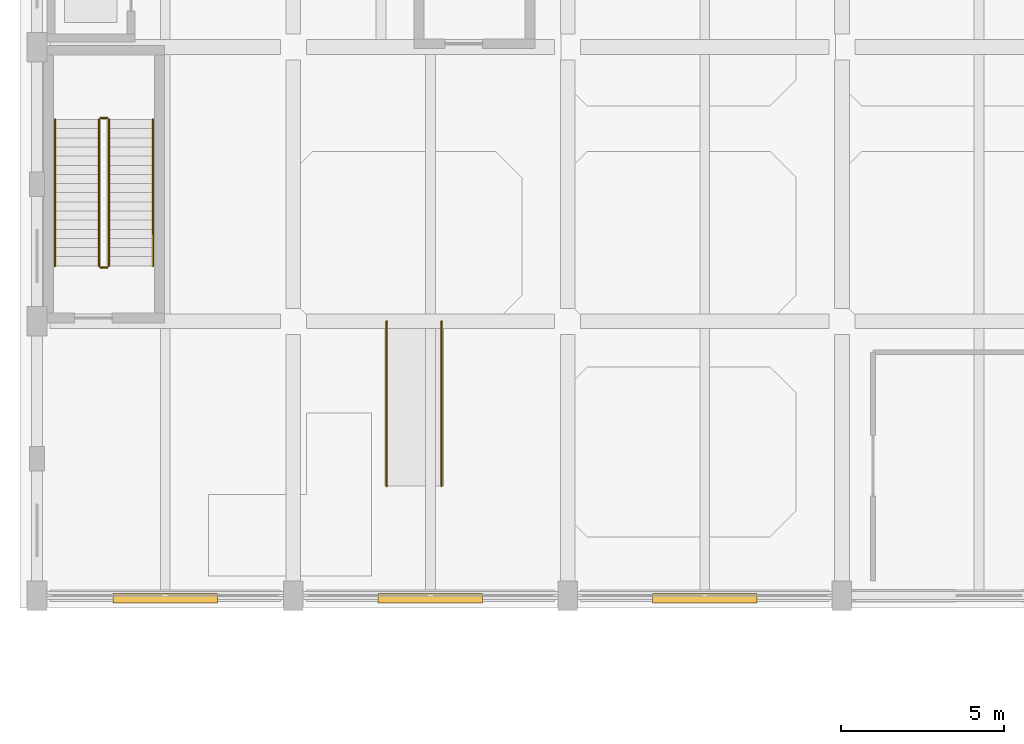
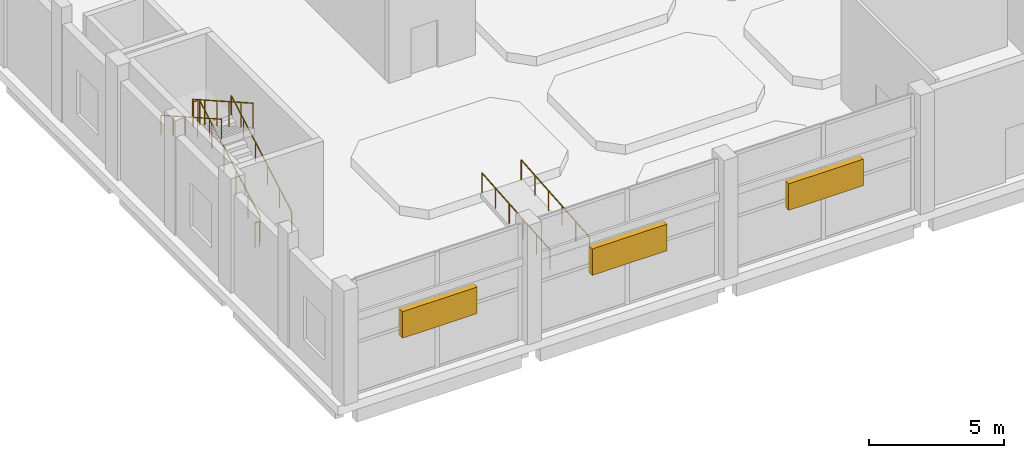
# One storey, part 27 of 34: 8 railings, 3 shading devices.
"""IFC4 building model written with IfcOpenShell, lengths in metres."""

from ifc_helpers import new_model, si_unit, direction, frame, origin, origin_2d, place, context, subcontext, project, spatial, rectangle, circle, extrude, material, type_object, element, save


model = new_model("IFC4")

# Units and contexts
model_context = context("Model", 3, precision=1e-05, world=origin(), true_north=direction((0.0, 1.0)))
body_context = subcontext(model_context, "Body", "Model", "MODEL_VIEW")
ifc_project = project(units=[si_unit("LENGTHUNIT", "METRE"), si_unit("AREAUNIT", "SQUARE_METRE"), si_unit("VOLUMEUNIT", "CUBIC_METRE"), si_unit("PLANEANGLEUNIT", "RADIAN"), si_unit("MASSUNIT", "GRAM", prefix="KILO")], contexts=[model_context])

# Site, building, storey
site_placement = place(None, origin())
site = spatial("IfcSite", under=ifc_project, at=site_placement, CompositionType="ELEMENT")
building_placement = place(site_placement, origin())
building = spatial("IfcBuilding", under=site, at=building_placement, Name="Brinegate Botanical Conservatory", CompositionType="ELEMENT")
storey_placement = place(building_placement, origin())
storey = spatial("IfcBuildingStorey", under=building, at=storey_placement, Name="L01", CompositionType="ELEMENT", Elevation=0.0)

# Railings
ifc_material_1 = material(Name="Structural steel Q355B / S355 painted tubular guardrail", Category="steel")
railing_type_1 = type_object("IfcRailingType", Name="Rail_ST-GRD", PredefinedType="GUARDRAIL", material=ifc_material_1)
railing_1_placement = place(storey_placement, frame((2.75, 88.5, 0.158935546875)))
element("IfcRailing", 1, at=railing_1_placement, inside=storey, type_object=railing_type_1, Name="L01 ST7 stair guard 1", PredefinedType="GUARDRAIL", context=body_context, shape_type="SweptSolid", body=[
    extrude(circle(Radius=0.02392578125, at=origin_2d()), frame((0.0, 0.0, 1.1259765625), z_axis=(0.0, 0.869825572089, 0.493359376256), x_axis=(-1.0, 0.0, 0.0)), (0.0, 0.0, 1.0), 5.150390625),
    extrude(circle(Radius=0.02099609375, at=origin_2d()), origin(), (0.0, 0.0, 1.0), 1.101806640625),
    extrude(circle(Radius=0.02099609375, at=origin_2d()), frame((0.0, 0.89599609375, 0.50830078125)), (0.0, 0.0, 1.0), 1.101806640625),
    extrude(circle(Radius=0.02099609375, at=origin_2d()), frame((0.0, 1.7919921875, 1.016357421875)), (0.0, 0.0, 1.0), 1.101806640625),
    extrude(circle(Radius=0.02099609375, at=origin_2d()), frame((0.0, 2.68798828125, 1.524658203125)), (0.0, 0.0, 1.0), 1.101806640625),
    extrude(circle(Radius=0.02099609375, at=origin_2d()), frame((0.0, 3.583984375, 2.03271484375)), (0.0, 0.0, 1.0), 1.101806640625),
    extrude(circle(Radius=0.02099609375, at=origin_2d()), frame((0.0, 4.47998046875, 2.541015625)), (0.0, 0.0, 1.0), 1.101806640625),
])
railing_2_placement = place(storey_placement, frame((2.699951171875, 93.030029296875, 2.699951171875)))
element("IfcRailing", 2, at=railing_2_placement, inside=storey, type_object=railing_type_1, Name="L01 ST7 stair guard 2", PredefinedType="GUARDRAIL", context=body_context, shape_type="SweptSolid", body=[
    extrude(circle(Radius=0.02392578125, at=origin_2d()), frame((0.0, 0.0, 1.1259765625), z_axis=(-1.0, 0.0, 0.0), x_axis=(0.0, -1.0, 0.0)), (0.0, 0.0, 1.0), 0.199951171875),
    extrude(circle(Radius=0.02099609375, at=origin_2d()), origin(), (0.0, 0.0, 1.0), 1.101806640625),
    extrude(circle(Radius=0.02099609375, at=origin_2d()), frame((-0.199951171875, 0.0, 0.0)), (0.0, 0.0, 1.0), 1.101806640625),
])
railing_3_placement = place(storey_placement, frame((2.449951171875, 92.97998046875, 2.85888671875)))
element("IfcRailing", 3, at=railing_3_placement, inside=storey, type_object=railing_type_1, Name="L01 ST7 stair guard 3", PredefinedType="GUARDRAIL", context=body_context, shape_type="SweptSolid", body=[
    extrude(circle(Radius=0.02392578125, at=origin_2d()), frame((0.0, 0.0, 1.1259765625), z_axis=(0.0, -0.869825572089, 0.493359376256), x_axis=(1.0, 0.0, 0.0)), (0.0, 0.0, 1.0), 5.150390625),
    extrude(circle(Radius=0.02099609375, at=origin_2d()), origin(), (0.0, 0.0, 1.0), 1.101806640625),
    extrude(circle(Radius=0.02099609375, at=origin_2d()), frame((0.0, -0.89599609375, 0.50830078125)), (0.0, 0.0, 1.0), 1.101806640625),
    extrude(circle(Radius=0.02099609375, at=origin_2d()), frame((0.0, -1.7919921875, 1.016357421875)), (0.0, 0.0, 1.0), 1.101806640625),
    extrude(circle(Radius=0.02099609375, at=origin_2d()), frame((0.0, -2.68798828125, 1.524658203125)), (0.0, 0.0, 1.0), 1.101806640625),
    extrude(circle(Radius=0.02099609375, at=origin_2d()), frame((0.0, -3.583984375, 2.03271484375)), (0.0, 0.0, 1.0), 1.101806640625),
    extrude(circle(Radius=0.02099609375, at=origin_2d()), frame((0.0, -4.47998046875, 2.541015625)), (0.0, 0.0, 1.0), 1.101806640625),
])
railing_4_placement = place(storey_placement, frame((2.699951171875, 88.449951171875, 0.0)))
element("IfcRailing", 4, at=railing_4_placement, inside=storey, type_object=railing_type_1, Name="L01 ST7 stair guard 4", PredefinedType="GUARDRAIL", context=body_context, shape_type="SweptSolid", body=[
    extrude(circle(Radius=0.02392578125, at=origin_2d()), frame((0.0, 0.0, 1.1259765625), z_axis=(-1.0, 0.0, 0.0), x_axis=(0.0, -1.0, 0.0)), (0.0, 0.0, 1.0), 0.199951171875),
    extrude(circle(Radius=0.02099609375, at=origin_2d()), origin(), (0.0, 0.0, 1.0), 1.101806640625),
    extrude(circle(Radius=0.02099609375, at=origin_2d()), frame((-0.199951171875, 0.0, 0.0)), (0.0, 0.0, 1.0), 1.101806640625),
])
ifc_material_2 = material(Name="Brushed stainless steel S355 handrail", Category="steel")
railing_type_2 = type_object("IfcRailingType", Name="Rail_ST-HND", PredefinedType="HANDRAIL", material=ifc_material_2)
railing_5_placement = place(storey_placement, frame((4.10009765625, 88.5, 0.158935546875)))
element("IfcRailing", 5, at=railing_5_placement, inside=storey, type_object=railing_type_2, Name="L01 ST7 stair handrail 1", PredefinedType="HANDRAIL", context=body_context, shape_type="SweptSolid", body=[
    extrude(circle(Radius=0.02392578125, at=origin_2d()), frame((0.0, 0.0, 0.8759765625), z_axis=(0.0, 0.869825572089, 0.493359376256), x_axis=(-1.0, 0.0, 0.0)), (0.0, 0.0, 1.0), 5.150390625),
    extrude(circle(Radius=0.02099609375, at=origin_2d()), origin(), (0.0, 0.0, 1.0), 0.851806640625),
    extrude(circle(Radius=0.02099609375, at=origin_2d()), frame((0.0, 0.89599609375, 0.50830078125)), (0.0, 0.0, 1.0), 0.851806640625),
    extrude(circle(Radius=0.02099609375, at=origin_2d()), frame((0.0, 1.7919921875, 1.016357421875)), (0.0, 0.0, 1.0), 0.851806640625),
    extrude(circle(Radius=0.02099609375, at=origin_2d()), frame((0.0, 2.68798828125, 1.524658203125)), (0.0, 0.0, 1.0), 0.851806640625),
    extrude(circle(Radius=0.02099609375, at=origin_2d()), frame((0.0, 3.583984375, 2.03271484375)), (0.0, 0.0, 1.0), 0.851806640625),
    extrude(circle(Radius=0.02099609375, at=origin_2d()), frame((0.0, 4.47998046875, 2.541015625)), (0.0, 0.0, 1.0), 0.851806640625),
])
railing_6_placement = place(storey_placement, frame((1.10009765625, 92.97998046875, 2.85888671875)))
element("IfcRailing", 6, at=railing_6_placement, inside=storey, type_object=railing_type_2, Name="L01 ST7 stair handrail 2", PredefinedType="HANDRAIL", context=body_context, shape_type="SweptSolid", body=[
    extrude(circle(Radius=0.02392578125, at=origin_2d()), frame((0.0, 0.0, 0.8759765625), z_axis=(0.0, -0.869825572089, 0.493359376256), x_axis=(1.0, 0.0, 0.0)), (0.0, 0.0, 1.0), 5.150390625),
    extrude(circle(Radius=0.02099609375, at=origin_2d()), origin(), (0.0, 0.0, 1.0), 0.851806640625),
    extrude(circle(Radius=0.02099609375, at=origin_2d()), frame((0.0, -0.89599609375, 0.50830078125)), (0.0, 0.0, 1.0), 0.851806640625),
    extrude(circle(Radius=0.02099609375, at=origin_2d()), frame((0.0, -1.7919921875, 1.016357421875)), (0.0, 0.0, 1.0), 0.851806640625),
    extrude(circle(Radius=0.02099609375, at=origin_2d()), frame((0.0, -2.68798828125, 1.524658203125)), (0.0, 0.0, 1.0), 0.851806640625),
    extrude(circle(Radius=0.02099609375, at=origin_2d()), frame((0.0, -3.583984375, 2.03271484375)), (0.0, 0.0, 1.0), 0.851806640625),
    extrude(circle(Radius=0.02099609375, at=origin_2d()), frame((0.0, -4.47998046875, 2.541015625)), (0.0, 0.0, 1.0), 0.851806640625),
])
for number, where, name in (
    (7, (11.260009765625, 81.760009765625, 0.0), "Conservatory botanical bed accessible ramp PR-1 left handrail"),
    (8, (12.93994140625, 81.760009765625, 0.0), "Conservatory botanical bed accessible ramp PR-1 right handrail"),
):
    element("IfcRailing", number, at=place(storey_placement, frame(where)), inside=storey, type_object=railing_type_2, Name=name, PredefinedType="HANDRAIL", context=body_context, shape_type="SweptSolid", body=[
        extrude(circle(Radius=0.02392578125, at=origin_2d()), frame((0.0, 0.0, 0.89599609375), z_axis=(0.0, 0.996547089785, 0.083029499827), x_axis=(-1.0, 0.0, 0.0)), (0.0, 0.0, 1.0), 5.0576171875),
        extrude(circle(Radius=0.02099609375, at=origin_2d()), origin(), (0.0, 0.0, 1.0), 0.871826171875),
        extrude(circle(Radius=0.02099609375, at=origin_2d()), frame((0.0, 1.008056640625, 0.083984375)), (0.0, 0.0, 1.0), 0.871826171875),
        extrude(circle(Radius=0.02099609375, at=origin_2d()), frame((0.0, 2.01611328125, 0.16796875)), (0.0, 0.0, 1.0), 0.871826171875),
        extrude(circle(Radius=0.02099609375, at=origin_2d()), frame((0.0, 3.02392578125, 0.251953125)), (0.0, 0.0, 1.0), 0.871826171875),
        extrude(circle(Radius=0.02099609375, at=origin_2d()), frame((0.0, 4.031982421875, 0.3359375)), (0.0, 0.0, 1.0), 0.871826171875),
        extrude(circle(Radius=0.02099609375, at=origin_2d()), frame((0.0, 5.0400390625, 0.419921875)), (0.0, 0.0, 1.0), 0.871826171875),
    ])

# Shading devices
ifc_material_3 = material(Name="Anodised aluminium AW-6063-T6 storm louvres", Category="aluminium")
shading_device_type = type_object("IfcShadingDeviceType", Name="Shade_SLV-01", PredefinedType="JALOUSIE", material=ifc_material_3)
for number, where, z_axis, x_axis, name in (
    (9, (4.47509765625, 78.320068359375, 2.0), (0.0, 0.0, 1.0), (1.0, 0.0, 0.0), "Conservatory south storm louvre L01.1"),
    (10, (12.60009765625, 78.320068359375, 2.0), (0.0, 0.0, 1.0), (1.0, 0.0, 0.0), "Conservatory south storm louvre L01.2"),
    (11, (21.0, 78.320068359375, 2.0), (0.0, 0.0, 1.0), (1.0, 0.0, 0.0), "Conservatory south storm louvre L01.3"),
):
    element("IfcShadingDevice", number, at=place(storey_placement, frame(where, z_axis=z_axis, x_axis=x_axis)), inside=storey, type_object=shading_device_type, Name=name, PredefinedType="JALOUSIE", context=body_context, shape_type="SweptSolid", body=[
        extrude(rectangle(XDim=3.199951171875, YDim=0.280029296875, at=origin_2d()), origin(), (0.0, 0.0, 1.0), 1.199951171875),
    ])

save(model, "model.ifc")
